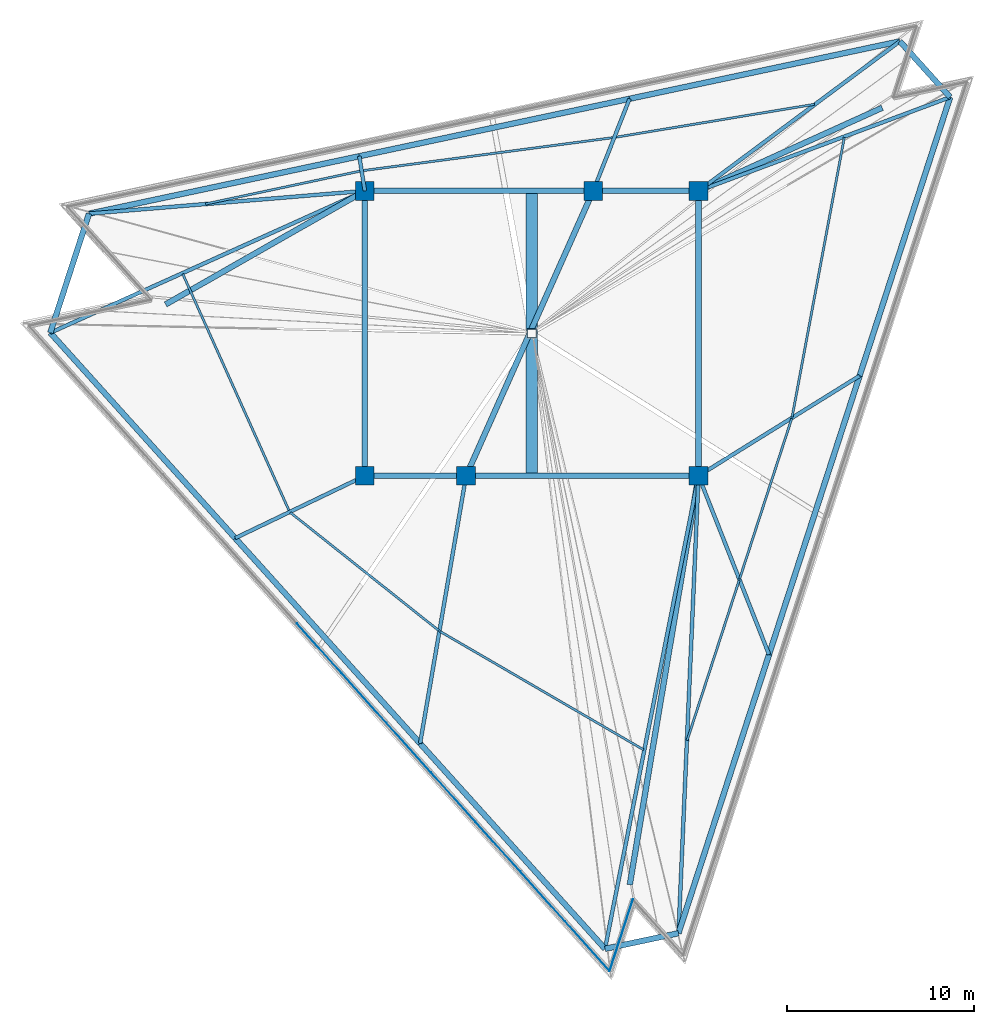
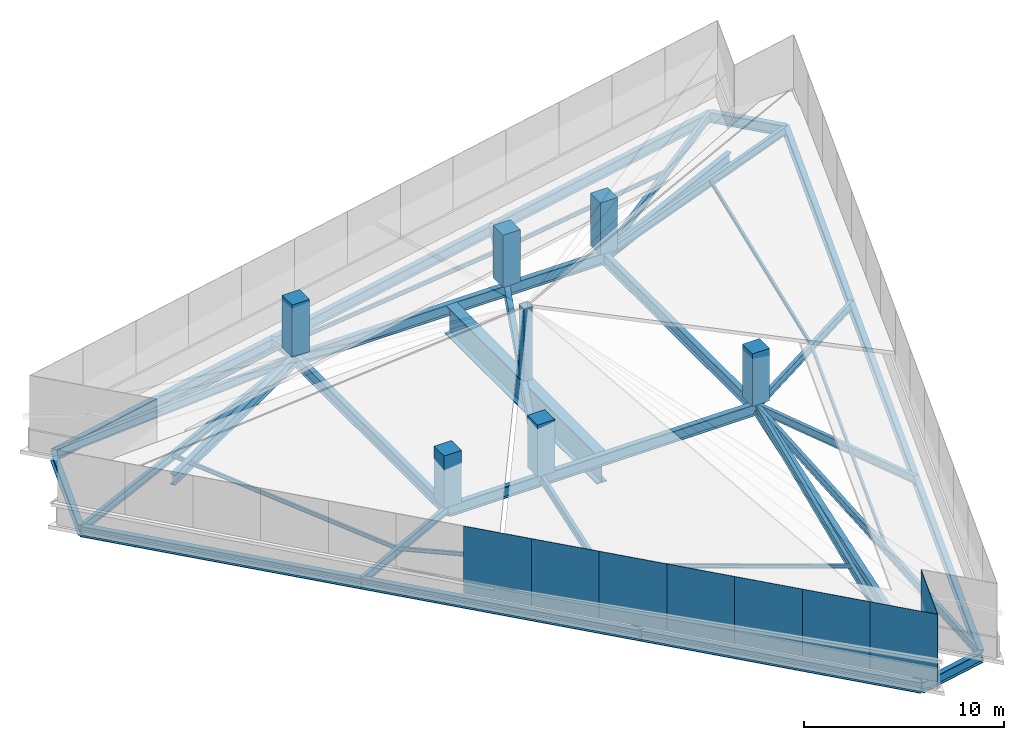
# One storey, part 1 of 2: 35 beams, 9 members, 8 plates, 7 columns.
"""IFC4 building model written with IfcOpenShell, lengths in metres."""

from ifc_helpers import new_model, si_unit, direction, frame, origin, origin_2d, place, context, subcontext, project, spatial, rectangle, hollow_rectangle, i_section, extrude, material, layer, layer_set, material_profile, profile_set, type_object, element, save


model = new_model("IFC4")

# Units and contexts
model_context = context("Model", 3, precision=1e-05, world=origin(), true_north=direction((0.0, 1.0)))
body_context = subcontext(model_context, "Body", "Model", "MODEL_VIEW")
ifc_project = project(units=[si_unit("LENGTHUNIT", "METRE"), si_unit("AREAUNIT", "SQUARE_METRE"), si_unit("VOLUMEUNIT", "CUBIC_METRE"), si_unit("PLANEANGLEUNIT", "RADIAN"), si_unit("MASSUNIT", "GRAM", prefix="KILO")], contexts=[model_context])

# Site, building, storey
site_placement = place(None, origin())
site = spatial("IfcSite", under=ifc_project, at=site_placement, CompositionType="ELEMENT")
building_placement = place(site_placement, origin())
building = spatial("IfcBuilding", under=site, at=building_placement, Name="Tharavind Bronze Gate", CompositionType="ELEMENT")
storey_placement = place(building_placement, frame((0.0, 0.0, 316.25)))
storey = spatial("IfcBuildingStorey", under=building, at=storey_placement, Name="RF", CompositionType="ELEMENT", Elevation=316.25)

# Columns
ifc_material_1 = material(Name="Concrete C50/60", Category="concrete")
ifc_material_profile_1 = material_profile(ifc_material_1, rectangle(XDim=1.0, YDim=1.0, at=origin_2d()), Name="RCCOL1000")
ifc_profile_set_1 = profile_set([ifc_material_profile_1], Name="Concrete C50/60")
column_type_1 = type_object("IfcColumnType", Name="MEGA CORE COLUMN 1000", PredefinedType="COLUMN", material=ifc_profile_set_1)
for number, where, z_axis, x_axis, name in (
    (1, (-8.89990234375, -7.60009765625, 0.0), (0.0, 0.0, 1.0), (1.0, 0.0, 0.0), "RF core mega column MC1"),
    (2, (-3.5, -7.60009765625, 0.0), (0.0, 0.0, 1.0), (1.0, 0.0, 0.0), "RF core mega column MC2"),
    (3, (8.89990234375, -7.60009765625, 0.0), (0.0, 0.0, 1.0), (1.0, 0.0, 0.0), "RF core mega column MC3"),
    (4, (8.89990234375, 7.60009765625, 0.0), (0.0, 0.0, 1.0), (1.0, 0.0, 0.0), "RF core mega column MC4"),
    (5, (3.280029296875, 7.60009765625, 0.0), (0.0, 0.0, 1.0), (1.0, 0.0, 0.0), "RF core mega column MC5"),
    (6, (-8.89990234375, 7.60009765625, 0.0), (0.0, 0.0, 1.0), (1.0, 0.0, 0.0), "RF core mega column MC6"),
):
    element("IfcColumn", number, at=place(storey_placement, frame(where, z_axis=z_axis, x_axis=x_axis)), inside=storey, type_object=column_type_1, Name=name, PredefinedType="COLUMN", context=body_context, shape_type="SweptSolid", body=[
        extrude(rectangle(XDim=1.0, YDim=1.0, at=origin_2d()), origin(), (0.0, 0.0, 1.0), 3.199951171875),
    ])
ifc_material_2 = material(Name="Steel S460", Category="steel")
ifc_material_profile_2 = material_profile(ifc_material_2, hollow_rectangle(XDim=0.5, YDim=0.5, WallThickness=0.031982421875, at=origin_2d()), Name="SHS500X32")
ifc_profile_set_2 = profile_set([ifc_material_profile_2], Name="Steel S460")
column_type_2 = type_object("IfcColumnType", Name="PERIMETER BOX COLUMN SHS500", PredefinedType="COLUMN", material=ifc_profile_set_2)
column_placement = place(storey_placement, frame((0.0, 0.0, -0.219970703125), z_axis=(0.0, 0.0, 1.0), x_axis=(1.0, 0.0, 0.0)))
element("IfcColumn", 7, at=column_placement, inside=storey, type_object=column_type_2, Name="RF wave crest canopy central apex column", PredefinedType="COLUMN", context=body_context, shape_type="SweptSolid", body=[
    extrude(hollow_rectangle(XDim=0.5, YDim=0.5, WallThickness=0.031982421875, at=origin_2d()), origin(), (0.0, 0.0, 1.0), 4.43994140625),
])

# Beams
ifc_material_3 = material(Name="Steel S355", Category="steel")
ifc_material_profile_3 = material_profile(ifc_material_3, i_section(OverallWidth=0.300048828125, OverallDepth=0.64990234375, WebThickness=0.01611328125, FlangeThickness=0.031005859375, at=origin_2d()), Name="HE650B")
ifc_profile_set_3 = profile_set([ifc_material_profile_3], Name="Steel S355")
beam_type_1 = type_object("IfcBeamType", Name="PRIMARY GIRDER HE650B", PredefinedType="USERDEFINED", material=ifc_profile_set_3)
beam_1_placement = place(storey_placement, frame((-25.6787109375, 0.03173828125, -0.544921875), z_axis=(0.669125777788, -0.743149173113, 0.0), x_axis=(0.743149173113, 0.669125777788, 0.0)))
element("IfcBeam", 8, at=beam_1_placement, inside=storey, type_object=beam_type_1, Name="RF primary girder he650b BM-RF-EAV01", ObjectType="GIRDER", PredefinedType="USERDEFINED", context=body_context, shape_type="SweptSolid", body=[
    extrude(i_section(OverallWidth=0.300048828125, OverallDepth=0.64990234375, WebThickness=0.01611328125, FlangeThickness=0.031005859375, at=origin_2d()), origin(), (0.0, 0.0, 1.0), 14.739501953125),
])
for number, where, z_axis, x_axis, name in (
    (9, (-15.816162109375, -10.921875, -0.544921875), (0.669134014343, -0.7431417569, 0.0), (0.7431417569, 0.669134014343, 0.0), "RF primary girder he650b BM-RF-EAV02"),
    (10, (-5.95361328125, -21.875244140625, -0.544921875), (0.669134014343, -0.7431417569, 0.0), (0.7431417569, 0.669134014343, 0.0), "RF primary girder he650b BM-RF-EAV03"),
):
    element("IfcBeam", number, at=place(storey_placement, frame(where, z_axis=z_axis, x_axis=x_axis)), inside=storey, type_object=beam_type_1, Name=name, ObjectType="GIRDER", PredefinedType="USERDEFINED", context=body_context, shape_type="SweptSolid", body=[
        extrude(i_section(OverallWidth=0.300048828125, OverallDepth=0.64990234375, WebThickness=0.01611328125, FlangeThickness=0.031005859375, at=origin_2d()), origin(), (0.0, 0.0, 1.0), 14.7392578125),
    ])
beam_2_placement = place(storey_placement, frame((3.908935546875, -32.82861328125, -0.544921875), z_axis=(0.978162875873, 0.207839813954, 0.0), x_axis=(-0.207839813954, 0.978162875873, 0.0)))
element("IfcBeam", 11, at=beam_2_placement, inside=storey, type_object=beam_type_1, Name="RF primary girder he650b BM-RF-EAV04", ObjectType="GIRDER", PredefinedType="USERDEFINED", context=body_context, shape_type="SweptSolid", body=[
    extrude(i_section(OverallWidth=0.300048828125, OverallDepth=0.64990234375, WebThickness=0.01611328125, FlangeThickness=0.031005859375, at=origin_2d()), origin(), (0.0, 0.0, 1.0), 4.0078125),
])
beam_3_placement = place(storey_placement, frame((7.829345703125, -31.99560546875, -0.544921875), z_axis=(0.309011547215, 0.951058286168, 0.0), x_axis=(-0.951058286168, 0.309011547215, 0.0)))
element("IfcBeam", 12, at=beam_3_placement, inside=storey, type_object=beam_type_1, Name="RF primary girder he650b BM-RF-EAV05", ObjectType="GIRDER", PredefinedType="USERDEFINED", context=body_context, shape_type="SweptSolid", body=[
    extrude(i_section(OverallWidth=0.300048828125, OverallDepth=0.64990234375, WebThickness=0.01611328125, FlangeThickness=0.031005859375, at=origin_2d()), origin(), (0.0, 0.0, 1.0), 15.6298828125),
])
beam_4_placement = place(storey_placement, frame((12.6591796875, -17.130615234375, -0.544921875), z_axis=(0.30902108499, 0.951055187164, 0.0), x_axis=(-0.951055187164, 0.30902108499, 0.0)))
element("IfcBeam", 13, at=beam_4_placement, inside=storey, type_object=beam_type_1, Name="RF primary girder he650b BM-RF-EAV06", ObjectType="GIRDER", PredefinedType="USERDEFINED", context=body_context, shape_type="SweptSolid", body=[
    extrude(i_section(OverallWidth=0.300048828125, OverallDepth=0.64990234375, WebThickness=0.01611328125, FlangeThickness=0.031005859375, at=origin_2d()), origin(), (0.0, 0.0, 1.0), 15.63037109375),
])
beam_5_placement = place(storey_placement, frame((17.4892578125, -2.265380859375, -0.544921875), z_axis=(0.309011547215, 0.951058286168, 0.0), x_axis=(-0.951058286168, 0.309011547215, 0.0)))
element("IfcBeam", 14, at=beam_5_placement, inside=storey, type_object=beam_type_1, Name="RF primary girder he650b BM-RF-EAV07", ObjectType="GIRDER", PredefinedType="USERDEFINED", context=body_context, shape_type="SweptSolid", body=[
    extrude(i_section(OverallWidth=0.300048828125, OverallDepth=0.64990234375, WebThickness=0.01611328125, FlangeThickness=0.031005859375, at=origin_2d()), origin(), (0.0, 0.0, 1.0), 15.6298828125),
])
beam_6_placement = place(storey_placement, frame((22.319091796875, 12.599609375, -0.544921875), z_axis=(-0.669132983361, 0.743142685208, 0.0), x_axis=(-0.743142685208, -0.669132983361, 0.0)))
element("IfcBeam", 15, at=beam_6_placement, inside=storey, type_object=beam_type_1, Name="RF primary girder he650b BM-RF-EAV08", ObjectType="GIRDER", PredefinedType="USERDEFINED", context=body_context, shape_type="SweptSolid", body=[
    extrude(i_section(OverallWidth=0.300048828125, OverallDepth=0.64990234375, WebThickness=0.01611328125, FlangeThickness=0.031005859375, at=origin_2d()), origin(), (0.0, 0.0, 1.0), 4.008056640625),
])
for number, where, z_axis, x_axis, name in (
    (16, (19.63720703125, 15.578125, -0.544921875), (-0.97814794647, -0.207910064249, 0.0), (0.207910064249, -0.97814794647, 0.0), "RF primary girder he650b BM-RF-EAV09"),
    (17, (5.219970703125, 12.513671875, -0.544921875), (-0.97814794647, -0.207910064249, 0.0), (0.207910064249, -0.97814794647, 0.0), "RF primary girder he650b BM-RF-EAV10"),
    (18, (-9.197265625, 9.44921875, -0.544921875), (-0.97814794647, -0.207910064249, 0.0), (0.207910064249, -0.97814794647, 0.0), "RF primary girder he650b BM-RF-EAV11"),
):
    element("IfcBeam", number, at=place(storey_placement, frame(where, z_axis=z_axis, x_axis=x_axis)), inside=storey, type_object=beam_type_1, Name=name, ObjectType="GIRDER", PredefinedType="USERDEFINED", context=body_context, shape_type="SweptSolid", body=[
        extrude(i_section(OverallWidth=0.300048828125, OverallDepth=0.64990234375, WebThickness=0.01611328125, FlangeThickness=0.031005859375, at=origin_2d()), origin(), (0.0, 0.0, 1.0), 14.7392578125),
    ])
beam_7_placement = place(storey_placement, frame((-23.614501953125, 6.384765625, -0.544921875), z_axis=(-0.309014999798, -0.95105716437, 0.0), x_axis=(0.95105716437, -0.309014999798, 0.0)))
element("IfcBeam", 19, at=beam_7_placement, inside=storey, type_object=beam_type_1, Name="RF primary girder he650b BM-RF-EAV12", ObjectType="GIRDER", PredefinedType="USERDEFINED", context=body_context, shape_type="SweptSolid", body=[
    extrude(i_section(OverallWidth=0.300048828125, OverallDepth=0.64990234375, WebThickness=0.01611328125, FlangeThickness=0.031005859375, at=origin_2d()), origin(), (0.0, 0.0, 1.0), 6.679931640625),
])
beam_8_placement = place(storey_placement, frame((-19.525146484375, 1.544189453125, -0.544921875), z_axis=(0.868794188738, 0.495173361174, 0.0), x_axis=(-0.495173361174, 0.868794188738, 0.0)))
element("IfcBeam", 20, at=beam_8_placement, inside=storey, type_object=beam_type_1, Name="RF primary girder he650b BM-RF-NRD1", ObjectType="GIRDER", PredefinedType="USERDEFINED", context=body_context, shape_type="SweptSolid", body=[
    extrude(i_section(OverallWidth=0.300048828125, OverallDepth=0.64990234375, WebThickness=0.01611328125, FlangeThickness=0.031005859375, at=origin_2d()), origin(), (0.0, 0.0, 1.0), 12.22998046875),
])
beam_9_placement = place(storey_placement, frame((5.230712890625, -29.408203125, -0.544921875), z_axis=(0.16591691207, 0.986139735681, 0.0), x_axis=(-0.986139735681, 0.16591691207, 0.0)))
element("IfcBeam", 21, at=beam_9_placement, inside=storey, type_object=beam_type_1, Name="RF primary girder he650b BM-RF-NRD2", ObjectType="GIRDER", PredefinedType="USERDEFINED", context=body_context, shape_type="SweptSolid", body=[
    extrude(i_section(OverallWidth=0.300048828125, OverallDepth=0.64990234375, WebThickness=0.01611328125, FlangeThickness=0.031005859375, at=origin_2d()), origin(), (0.0, 0.0, 1.0), 22.114501953125),
])
beam_10_placement = place(storey_placement, frame((18.696044921875, 12.033935546875, -0.544921875), z_axis=(-0.911029342402, -0.412341529903, 0.0), x_axis=(0.412341529903, -0.911029342402, 0.0)))
element("IfcBeam", 22, at=beam_10_placement, inside=storey, type_object=beam_type_1, Name="RF primary girder he650b BM-RF-NRD3", ObjectType="GIRDER", PredefinedType="USERDEFINED", context=body_context, shape_type="SweptSolid", body=[
    extrude(i_section(OverallWidth=0.300048828125, OverallDepth=0.64990234375, WebThickness=0.01611328125, FlangeThickness=0.031005859375, at=origin_2d()), origin(), (0.0, 0.0, 1.0), 10.7529296875),
])
ifc_material_profile_4 = material_profile(ifc_material_3, i_section(OverallWidth=0.199951171875, OverallDepth=0.5, WebThickness=0.01025390625, FlangeThickness=0.01611328125, at=origin_2d()), Name="IPE500")
ifc_profile_set_4 = profile_set([ifc_material_profile_4], Name="Steel S355")
beam_type_2 = type_object("IfcBeamType", Name="PRIMARY GIRDER IPE500", PredefinedType="USERDEFINED", material=ifc_profile_set_4)
beam_11_placement = place(storey_placement, frame((-25.6787109375, 0.03173828125, -0.469970703125), z_axis=(0.911557320277, 0.411173019361, 0.0), x_axis=(-0.411173019361, 0.911557320277, 0.0)))
element("IfcBeam", 23, at=beam_11_placement, inside=storey, type_object=beam_type_2, Name="RF primary girder ipe500 BM-RF-RAD01", ObjectType="GIRDER", PredefinedType="USERDEFINED", context=body_context, shape_type="SweptSolid", body=[
    extrude(i_section(OverallWidth=0.199951171875, OverallDepth=0.5, WebThickness=0.01025390625, FlangeThickness=0.01611328125, at=origin_2d()), origin(), (0.0, 0.0, 1.0), 18.40673828125),
])
beam_12_placement = place(storey_placement, frame((-15.816162109375, -10.921875, -0.469970703125), z_axis=(0.90142273265, 0.432940015547, 0.0), x_axis=(-0.432940015547, 0.90142273265, 0.0)))
element("IfcBeam", 24, at=beam_12_placement, inside=storey, type_object=beam_type_2, Name="RF primary girder ipe500 BM-RF-RAD02", ObjectType="GIRDER", PredefinedType="USERDEFINED", context=body_context, shape_type="SweptSolid", body=[
    extrude(i_section(OverallWidth=0.199951171875, OverallDepth=0.5, WebThickness=0.01025390625, FlangeThickness=0.01611328125, at=origin_2d()), origin(), (0.0, 0.0, 1.0), 7.672607421875),
])
beam_13_placement = place(storey_placement, frame((-5.95361328125, -21.875244140625, -0.469970703125), z_axis=(0.169396075944, 0.985548055376, 0.0), x_axis=(-0.985548055376, 0.169396075944, 0.0)))
element("IfcBeam", 25, at=beam_13_placement, inside=storey, type_object=beam_type_2, Name="RF primary girder ipe500 BM-RF-RAD03", ObjectType="GIRDER", PredefinedType="USERDEFINED", context=body_context, shape_type="SweptSolid", body=[
    extrude(i_section(OverallWidth=0.199951171875, OverallDepth=0.5, WebThickness=0.01025390625, FlangeThickness=0.01611328125, at=origin_2d()), origin(), (0.0, 0.0, 1.0), 14.484375),
])
beam_14_placement = place(storey_placement, frame((3.908935546875, -32.82861328125, -0.469970703125), z_axis=(0.194069196249, 0.980987842467, 0.0), x_axis=(-0.980987842467, 0.194069196249, 0.0)))
element("IfcBeam", 26, at=beam_14_placement, inside=storey, type_object=beam_type_2, Name="RF primary girder ipe500 BM-RF-RAD04", ObjectType="GIRDER", PredefinedType="USERDEFINED", context=body_context, shape_type="SweptSolid", body=[
    extrude(i_section(OverallWidth=0.199951171875, OverallDepth=0.5, WebThickness=0.01025390625, FlangeThickness=0.01611328125, at=origin_2d()), origin(), (0.0, 0.0, 1.0), 25.717529296875),
])
beam_15_placement = place(storey_placement, frame((7.829345703125, -31.99560546875, -0.469970703125), z_axis=(0.043841158128, 0.9990385142, 0.0), x_axis=(-0.9990385142, 0.043841158128, 0.0)))
element("IfcBeam", 27, at=beam_15_placement, inside=storey, type_object=beam_type_2, Name="RF primary girder ipe500 BM-RF-RAD05", ObjectType="GIRDER", PredefinedType="USERDEFINED", context=body_context, shape_type="SweptSolid", body=[
    extrude(i_section(OverallWidth=0.199951171875, OverallDepth=0.5, WebThickness=0.01025390625, FlangeThickness=0.01611328125, at=origin_2d()), origin(), (0.0, 0.0, 1.0), 24.4189453125),
])
beam_16_placement = place(storey_placement, frame((12.6591796875, -17.130615234375, -0.469970703125), z_axis=(-0.366932678931, 0.930247498859, 0.0), x_axis=(-0.930247498859, -0.366932678931, 0.0)))
element("IfcBeam", 28, at=beam_16_placement, inside=storey, type_object=beam_type_2, Name="RF primary girder ipe500 BM-RF-RAD06", ObjectType="GIRDER", PredefinedType="USERDEFINED", context=body_context, shape_type="SweptSolid", body=[
    extrude(i_section(OverallWidth=0.199951171875, OverallDepth=0.5, WebThickness=0.01025390625, FlangeThickness=0.01611328125, at=origin_2d()), origin(), (0.0, 0.0, 1.0), 10.2451171875),
])
beam_17_placement = place(storey_placement, frame((17.4892578125, -2.265380859375, -0.469970703125), z_axis=(-0.849489786576, -0.527605063, 0.0), x_axis=(0.527605063, -0.849489786576, 0.0)))
element("IfcBeam", 29, at=beam_17_placement, inside=storey, type_object=beam_type_2, Name="RF primary girder ipe500 BM-RF-RAD07", ObjectType="GIRDER", PredefinedType="USERDEFINED", context=body_context, shape_type="SweptSolid", body=[
    extrude(i_section(OverallWidth=0.199951171875, OverallDepth=0.5, WebThickness=0.01025390625, FlangeThickness=0.01611328125, at=origin_2d()), origin(), (0.0, 0.0, 1.0), 10.111083984375),
])
beam_18_placement = place(storey_placement, frame((22.319091796875, 12.599609375, -0.469970703125), z_axis=(-0.937077412275, -0.349121645567, 0.0), x_axis=(0.349121645567, -0.937077412275, 0.0)))
element("IfcBeam", 30, at=beam_18_placement, inside=storey, type_object=beam_type_2, Name="RF primary girder ipe500 BM-RF-RAD08", ObjectType="GIRDER", PredefinedType="USERDEFINED", context=body_context, shape_type="SweptSolid", body=[
    extrude(i_section(OverallWidth=0.199951171875, OverallDepth=0.5, WebThickness=0.01025390625, FlangeThickness=0.01611328125, at=origin_2d()), origin(), (0.0, 0.0, 1.0), 14.3203125),
])
beam_19_placement = place(storey_placement, frame((19.63720703125, 15.578125, -0.469970703125), z_axis=(-0.802681438581, -0.596408004774, 0.0), x_axis=(0.596408004774, -0.802681438581, 0.0)))
element("IfcBeam", 31, at=beam_19_placement, inside=storey, type_object=beam_type_2, Name="RF primary girder ipe500 BM-RF-RAD09", ObjectType="GIRDER", PredefinedType="USERDEFINED", context=body_context, shape_type="SweptSolid", body=[
    extrude(i_section(OverallWidth=0.199951171875, OverallDepth=0.5, WebThickness=0.01025390625, FlangeThickness=0.01611328125, at=origin_2d()), origin(), (0.0, 0.0, 1.0), 13.376708984375),
])
beam_20_placement = place(storey_placement, frame((5.219970703125, 12.513671875, -0.469970703125), z_axis=(-0.367227563748, -0.930131128618, 0.0), x_axis=(0.930131128618, -0.367227563748, 0.0)))
element("IfcBeam", 32, at=beam_20_placement, inside=storey, type_object=beam_type_2, Name="RF primary girder ipe500 BM-RF-RAD10", ObjectType="GIRDER", PredefinedType="USERDEFINED", context=body_context, shape_type="SweptSolid", body=[
    extrude(i_section(OverallWidth=0.199951171875, OverallDepth=0.5, WebThickness=0.01025390625, FlangeThickness=0.01611328125, at=origin_2d()), origin(), (0.0, 0.0, 1.0), 5.28271484375),
])
beam_21_placement = place(storey_placement, frame((-9.197265625, 9.44921875, -0.469970703125), z_axis=(0.15877339987, -0.987315049766, 0.0), x_axis=(0.987315049766, 0.15877339987, 0.0)))
element("IfcBeam", 33, at=beam_21_placement, inside=storey, type_object=beam_type_2, Name="RF primary girder ipe500 BM-RF-RAD11", ObjectType="GIRDER", PredefinedType="USERDEFINED", context=body_context, shape_type="SweptSolid", body=[
    extrude(i_section(OverallWidth=0.199951171875, OverallDepth=0.5, WebThickness=0.01025390625, FlangeThickness=0.01611328125, at=origin_2d()), origin(), (0.0, 0.0, 1.0), 1.872802734375),
])
beam_22_placement = place(storey_placement, frame((-23.614501953125, 6.384765625, -0.469970703125), z_axis=(0.996606499326, 0.082313337321, 0.0), x_axis=(-0.082313337321, 0.996606499326, 0.0)))
element("IfcBeam", 34, at=beam_22_placement, inside=storey, type_object=beam_type_2, Name="RF primary girder ipe500 BM-RF-RAD12", ObjectType="GIRDER", PredefinedType="USERDEFINED", context=body_context, shape_type="SweptSolid", body=[
    extrude(i_section(OverallWidth=0.199951171875, OverallDepth=0.5, WebThickness=0.01025390625, FlangeThickness=0.01611328125, at=origin_2d()), origin(), (0.0, 0.0, 1.0), 14.7646484375),
])
ifc_material_profile_5 = material_profile(ifc_material_3, i_section(OverallWidth=0.300048828125, OverallDepth=0.699951171875, WebThickness=0.01708984375, FlangeThickness=0.031982421875, at=origin_2d()), Name="HE700B")
ifc_profile_set_5 = profile_set([ifc_material_profile_5], Name="Steel S355")
beam_type_3 = type_object("IfcBeamType", Name="RING GIRDER HE700B", PredefinedType="USERDEFINED", material=ifc_profile_set_5)
beam_23_placement = place(storey_placement, frame((-8.89990234375, -7.60009765625, -0.570068359375), z_axis=(1.0, 0.0, 0.0), x_axis=(0.0, 1.0, 0.0)))
element("IfcBeam", 35, at=beam_23_placement, inside=storey, type_object=beam_type_3, Name="RF ring girder he700b BM-RF-CR1", ObjectType="GIRDER", PredefinedType="USERDEFINED", context=body_context, shape_type="SweptSolid", body=[
    extrude(i_section(OverallWidth=0.300048828125, OverallDepth=0.699951171875, WebThickness=0.01708984375, FlangeThickness=0.031982421875, at=origin_2d()), origin(), (0.0, 0.0, 1.0), 5.39990234375),
])
beam_24_placement = place(storey_placement, frame((-3.5, -7.60009765625, -0.570068359375), z_axis=(1.0, 0.0, 0.0), x_axis=(0.0, 1.0, 0.0)))
element("IfcBeam", 36, at=beam_24_placement, inside=storey, type_object=beam_type_3, Name="RF ring girder he700b BM-RF-CR2", ObjectType="GIRDER", PredefinedType="USERDEFINED", context=body_context, shape_type="SweptSolid", body=[
    extrude(i_section(OverallWidth=0.300048828125, OverallDepth=0.699951171875, WebThickness=0.01708984375, FlangeThickness=0.031982421875, at=origin_2d()), origin(), (0.0, 0.0, 1.0), 12.39990234375),
])
beam_25_placement = place(storey_placement, frame((8.89990234375, -7.60009765625, -0.570068359375), z_axis=(0.0, 1.0, 0.0), x_axis=(-1.0, 0.0, 0.0)))
element("IfcBeam", 37, at=beam_25_placement, inside=storey, type_object=beam_type_3, Name="RF ring girder he700b BM-RF-CR3", ObjectType="GIRDER", PredefinedType="USERDEFINED", context=body_context, shape_type="SweptSolid", body=[
    extrude(i_section(OverallWidth=0.300048828125, OverallDepth=0.699951171875, WebThickness=0.01708984375, FlangeThickness=0.031982421875, at=origin_2d()), origin(), (0.0, 0.0, 1.0), 15.2001953125),
])
beam_26_placement = place(storey_placement, frame((8.89990234375, 7.60009765625, -0.570068359375), z_axis=(-1.0, 0.0, 0.0), x_axis=(0.0, -1.0, 0.0)))
element("IfcBeam", 38, at=beam_26_placement, inside=storey, type_object=beam_type_3, Name="RF ring girder he700b BM-RF-CR4", ObjectType="GIRDER", PredefinedType="USERDEFINED", context=body_context, shape_type="SweptSolid", body=[
    extrude(i_section(OverallWidth=0.300048828125, OverallDepth=0.699951171875, WebThickness=0.01708984375, FlangeThickness=0.031982421875, at=origin_2d()), origin(), (0.0, 0.0, 1.0), 5.619873046875),
])
beam_27_placement = place(storey_placement, frame((3.280029296875, 7.60009765625, -0.570068359375), z_axis=(-1.0, 0.0, 0.0), x_axis=(0.0, -1.0, 0.0)))
element("IfcBeam", 39, at=beam_27_placement, inside=storey, type_object=beam_type_3, Name="RF ring girder he700b BM-RF-CR5", ObjectType="GIRDER", PredefinedType="USERDEFINED", context=body_context, shape_type="SweptSolid", body=[
    extrude(i_section(OverallWidth=0.300048828125, OverallDepth=0.699951171875, WebThickness=0.01708984375, FlangeThickness=0.031982421875, at=origin_2d()), origin(), (0.0, 0.0, 1.0), 12.179931640625),
])
beam_28_placement = place(storey_placement, frame((-8.89990234375, 7.60009765625, -0.570068359375), z_axis=(0.0, -1.0, 0.0), x_axis=(1.0, 0.0, 0.0)))
element("IfcBeam", 40, at=beam_28_placement, inside=storey, type_object=beam_type_3, Name="RF ring girder he700b BM-RF-CR6", ObjectType="GIRDER", PredefinedType="USERDEFINED", context=body_context, shape_type="SweptSolid", body=[
    extrude(i_section(OverallWidth=0.300048828125, OverallDepth=0.699951171875, WebThickness=0.01708984375, FlangeThickness=0.031982421875, at=origin_2d()), origin(), (0.0, 0.0, 1.0), 15.2001953125),
])
beam_29_placement = place(storey_placement, frame((-3.5, -7.60009765625, -0.570068359375), z_axis=(0.407361644566, 0.913266932795, 0.0), x_axis=(-0.913266932795, 0.407361644566, 0.0)))
element("IfcBeam", 41, at=beam_29_placement, inside=storey, type_object=beam_type_3, Name="RF ring girder he700b BM-RF-CR7", ObjectType="GIRDER", PredefinedType="USERDEFINED", context=body_context, shape_type="SweptSolid", body=[
    extrude(i_section(OverallWidth=0.300048828125, OverallDepth=0.699951171875, WebThickness=0.01708984375, FlangeThickness=0.031982421875, at=origin_2d()), origin(), (0.0, 0.0, 1.0), 16.643798828125),
])
ifc_material_profile_6 = material_profile(ifc_material_2, i_section(OverallWidth=0.60009765625, OverallDepth=1.800048828125, WebThickness=0.031982421875, FlangeThickness=0.054931640625, at=origin_2d()), Name="PG1800X600")
ifc_profile_set_6 = profile_set([ifc_material_profile_6], Name="Steel S460")
beam_type_4 = type_object("IfcBeamType", Name="TRANSFER GIRDER 1800X600", PredefinedType="USERDEFINED", material=ifc_profile_set_6)
beam_30_placement = place(storey_placement, frame((0.0, -7.60009765625, -1.1201171875), z_axis=(0.0, 1.0, 0.0), x_axis=(-1.0, 0.0, 0.0)))
element("IfcBeam", 42, at=beam_30_placement, inside=storey, type_object=beam_type_4, Name="RF transfer girder 1800x600 BM-RF-APXG", ObjectType="TRANSFER GIRDER", PredefinedType="USERDEFINED", context=body_context, shape_type="SweptSolid", body=[
    extrude(i_section(OverallWidth=0.60009765625, OverallDepth=1.800048828125, WebThickness=0.031982421875, FlangeThickness=0.054931640625, at=origin_2d()), origin(), (0.0, 0.0, 1.0), 15.2001953125),
])

# Members
ifc_material_profile_7 = material_profile(ifc_material_3, i_section(OverallWidth=0.1201171875, OverallDepth=0.239990234375, WebThickness=0.006103515625, FlangeThickness=0.009765625, at=origin_2d()), Name="IPE240")
ifc_profile_set_7 = profile_set([ifc_material_profile_7], Name="Steel S355")
member_type = type_object("IfcMemberType", Name="WAVE CREST ROOF PURLIN IPE240", PredefinedType="PURLIN", material=ifc_profile_set_7)
member_1_placement = place(storey_placement, frame((-18.615234375, 3.173828125, -0.340087890625), z_axis=(0.409685981237, -0.912226614815, 0.0), x_axis=(0.912226614815, 0.409685981237, 0.0)))
element("IfcMember", 43, at=member_1_placement, inside=storey, type_object=member_type, Name="RF wave crest roof purlin 01", PredefinedType="PURLIN", context=body_context, shape_type="SweptSolid", body=[
    extrude(i_section(OverallWidth=0.1201171875, OverallDepth=0.239990234375, WebThickness=0.006103515625, FlangeThickness=0.009765625, at=origin_2d()), origin(), (0.0, 0.0, 1.0), 13.882568359375),
])
member_2_placement = place(storey_placement, frame((-12.880126953125, -9.551513671875, -0.340087890625), z_axis=(0.782667251636, -0.622440337073, 0.0), x_axis=(0.622440337073, 0.782667251636, 0.0)))
element("IfcMember", 44, at=member_2_placement, inside=storey, type_object=member_type, Name="RF wave crest roof purlin 02", PredefinedType="PURLIN", context=body_context, shape_type="SweptSolid", body=[
    extrude(i_section(OverallWidth=0.1201171875, OverallDepth=0.239990234375, WebThickness=0.006103515625, FlangeThickness=0.009765625, at=origin_2d()), origin(), (0.0, 0.0, 1.0), 10.126708984375),
])
member_3_placement = place(storey_placement, frame((-4.888427734375, -15.899658203125, -0.340087890625), z_axis=(0.864531540652, -0.502578566214, 0.0), x_axis=(0.502578566214, 0.864531540652, 0.0)))
element("IfcMember", 45, at=member_3_placement, inside=storey, type_object=member_type, Name="RF wave crest roof purlin 03", PredefinedType="PURLIN", context=body_context, shape_type="SweptSolid", body=[
    extrude(i_section(OverallWidth=0.1201171875, OverallDepth=0.239990234375, WebThickness=0.006103515625, FlangeThickness=0.009765625, at=origin_2d()), origin(), (0.0, 0.0, 1.0), 12.560791015625),
])
member_4_placement = place(storey_placement, frame((8.29150390625, -21.711181640625, -0.340087890625), z_axis=(0.309020946138, 0.95105523228, 0.0), x_axis=(-0.95105523228, 0.309020946138, 0.0)))
element("IfcMember", 46, at=member_4_placement, inside=storey, type_object=member_type, Name="RF wave crest roof purlin 05", PredefinedType="PURLIN", context=body_context, shape_type="SweptSolid", body=[
    extrude(i_section(OverallWidth=0.1201171875, OverallDepth=0.239990234375, WebThickness=0.006103515625, FlangeThickness=0.009765625, at=origin_2d()), origin(), (0.0, 0.0, 1.0), 8.985107421875),
])
member_5_placement = place(storey_placement, frame((11.0927734375, -13.089599609375, -0.340087890625), z_axis=(0.309012960752, 0.951057826889, 0.0), x_axis=(-0.951057826889, 0.309012960752, 0.0)))
element("IfcMember", 47, at=member_5_placement, inside=storey, type_object=member_type, Name="RF wave crest roof purlin 06", PredefinedType="PURLIN", context=body_context, shape_type="SweptSolid", body=[
    extrude(i_section(OverallWidth=0.1201171875, OverallDepth=0.239990234375, WebThickness=0.006103515625, FlangeThickness=0.009765625, at=origin_2d()), origin(), (0.0, 0.0, 1.0), 8.9853515625),
])
member_6_placement = place(storey_placement, frame((13.88916015625, -4.466552734375, -0.340087890625), z_axis=(0.183512856746, 0.983017309822, 0.0), x_axis=(-0.983017309822, 0.183512856746, 0.0)))
element("IfcMember", 48, at=member_6_placement, inside=storey, type_object=member_type, Name="RF wave crest roof purlin 07", PredefinedType="PURLIN", context=body_context, shape_type="SweptSolid", body=[
    extrude(i_section(OverallWidth=0.1201171875, OverallDepth=0.239990234375, WebThickness=0.006103515625, FlangeThickness=0.009765625, at=origin_2d()), origin(), (0.0, 0.0, 1.0), 15.184814453125),
])
member_7_placement = place(storey_placement, frame((15.088134765625, 12.220703125, -0.340087890625), z_axis=(-0.986540314324, -0.163518219821, 0.0), x_axis=(0.163518219821, -0.986540314324, 0.0)))
element("IfcMember", 49, at=member_7_placement, inside=storey, type_object=member_type, Name="RF wave crest roof purlin 09", PredefinedType="PURLIN", context=body_context, shape_type="SweptSolid", body=[
    extrude(i_section(OverallWidth=0.1201171875, OverallDepth=0.239990234375, WebThickness=0.006103515625, FlangeThickness=0.009765625, at=origin_2d()), origin(), (0.0, 0.0, 1.0), 10.788818359375),
])
member_8_placement = place(storey_placement, frame((4.365478515625, 10.444580078125, -0.340087890625), z_axis=(-0.991416684578, -0.130740038016, 0.0), x_axis=(0.130740038016, -0.991416684578, 0.0)))
element("IfcMember", 50, at=member_8_placement, inside=storey, type_object=member_type, Name="RF wave crest roof purlin 10", PredefinedType="PURLIN", context=body_context, shape_type="SweptSolid", body=[
    extrude(i_section(OverallWidth=0.1201171875, OverallDepth=0.239990234375, WebThickness=0.006103515625, FlangeThickness=0.009765625, at=origin_2d()), origin(), (0.0, 0.0, 1.0), 13.51416015625),
])
member_9_placement = place(storey_placement, frame((-9.111572265625, 8.664306640625, -0.340087890625), z_axis=(-0.978141996396, -0.207938055408, 0.0), x_axis=(0.207938055408, -0.978141996396, 0.0)))
element("IfcMember", 51, at=member_9_placement, inside=storey, type_object=member_type, Name="RF wave crest roof purlin 11", PredefinedType="PURLIN", context=body_context, shape_type="SweptSolid", body=[
    extrude(i_section(OverallWidth=0.1201171875, OverallDepth=0.239990234375, WebThickness=0.006103515625, FlangeThickness=0.009765625, at=origin_2d()), origin(), (0.0, 0.0, 1.0), 8.46875),
])

# Plates
ifc_material_4 = material(Name="Perforated Bronze Alloy", Category="bronze")
ifc_layer = layer(ifc_material_4, 0.011962890625)
ifc_layer_set = layer_set([ifc_layer], Name="Perforated Bronze Alloy")
plate_type = type_object("IfcPlateType", Name="BRONZE PERFORATED SOLAR SCREEN", PredefinedType="USERDEFINED", material=ifc_layer_set)
for number, where, z_axis, x_axis, name in (
    (52, (-11.330810546875, -16.800048828125, 0.39990234375), (0.0, 0.0, 1.0), (0.669130606359, -0.743144825477, 0.0), "RF crown bronze lantern screen 3.7"),
    (53, (-8.94775390625, -19.446533203125, 0.39990234375), (0.0, 0.0, 1.0), (0.669130606359, -0.743144825477, 0.0), "RF crown bronze lantern screen 3.8"),
    (54, (-6.56494140625, -22.093017578125, 0.39990234375), (0.0, 0.0, 1.0), (0.669130606359, -0.743144825477, 0.0), "RF crown bronze lantern screen 3.9"),
    (55, (-4.181884765625, -24.739501953125, 0.39990234375), (0.0, 0.0, 1.0), (0.669130606359, -0.743144825477, 0.0), "RF crown bronze lantern screen 3.10"),
    (56, (-1.799072265625, -27.38623046875, 0.39990234375), (0.0, 0.0, 1.0), (0.669130606359, -0.743144825477, 0.0), "RF crown bronze lantern screen 3.11"),
    (57, (0.583984375, -30.03271484375, 0.39990234375), (0.0, 0.0, 1.0), (0.669130606359, -0.743144825477, 0.0), "RF crown bronze lantern screen 3.12"),
    (58, (2.966796875, -32.67919921875, 0.39990234375), (0.0, 0.0, 1.0), (0.669130606359, -0.743144825477, 0.0), "RF crown bronze lantern screen 3.13"),
):
    element("IfcPlate", number, at=place(storey_placement, frame(where, z_axis=z_axis, x_axis=x_axis)), inside=storey, type_object=plate_type, Name=name, ObjectType="SCREEN", PredefinedType="USERDEFINED", context=body_context, shape_type="SweptSolid", body=[
        extrude(rectangle(XDim=3.561279296875, YDim=0.028076171875, at=origin_2d()), origin(), (0.0, 0.0, 1.0), 4.10009765625),
    ])
plate_placement = place(storey_placement, frame((4.777587890625, -32.0966796875, 0.39990234375), z_axis=(0.0, 0.0, 1.0), x_axis=(0.30901035474, 0.951058673618, 0.0)))
element("IfcPlate", 59, at=plate_placement, inside=storey, type_object=plate_type, Name="RF crown bronze lantern screen 4.1", ObjectType="SCREEN", PredefinedType="USERDEFINED", context=body_context, shape_type="SweptSolid", body=[
    extrude(rectangle(XDim=4.008056640625, YDim=0.028076171875, at=origin_2d()), origin(), (0.0, 0.0, 1.0), 4.10009765625),
])

save(model, "model.ifc")
